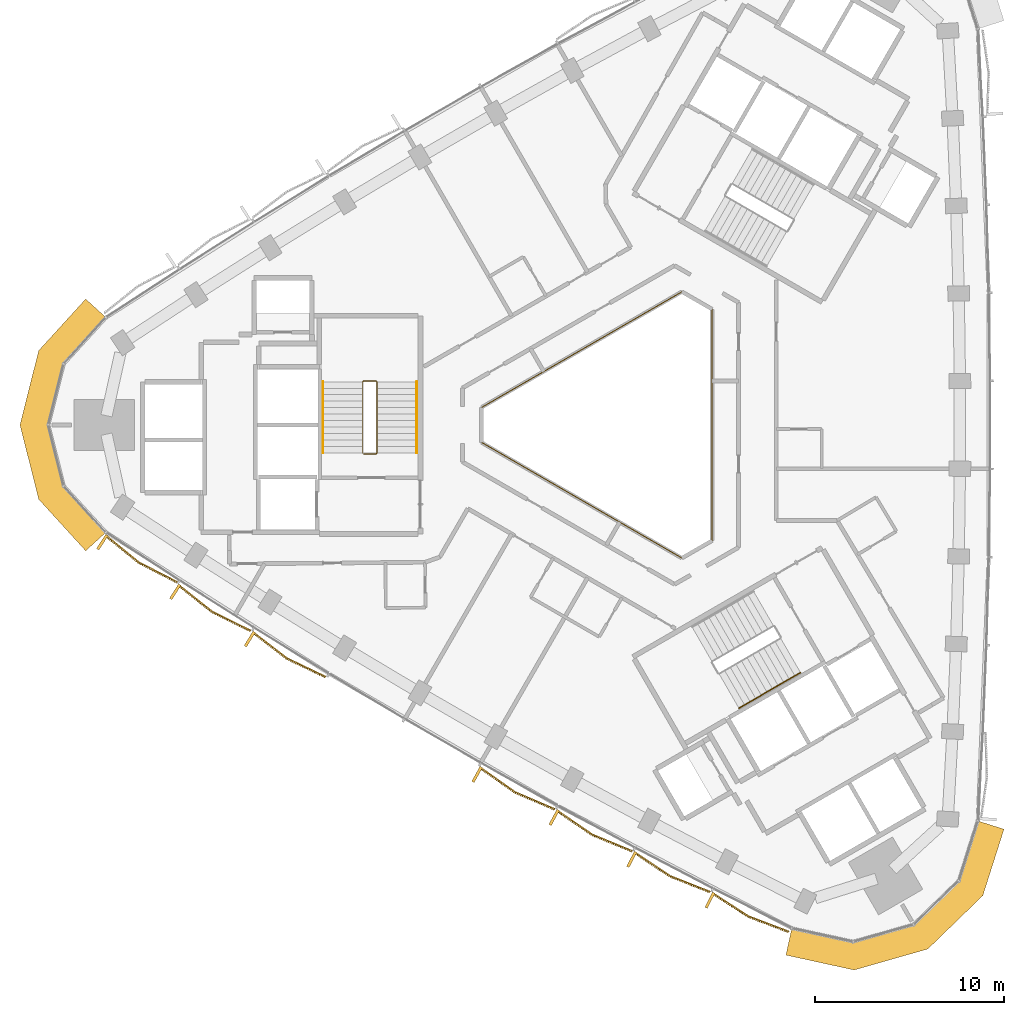
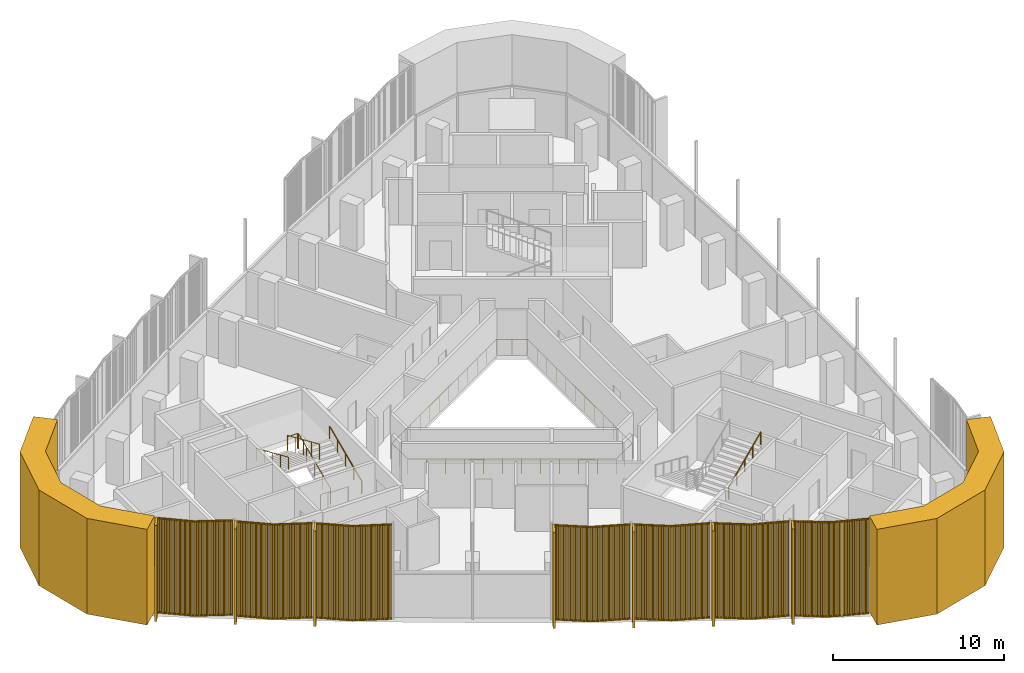
# One storey, part 12 of 14: 9 coverings, 5 railings.
"""IFC4 building model written with IfcOpenShell, lengths in metres."""

from ifc_helpers import new_model, si_unit, direction, frame, frame_2d, origin, origin_2d, place, context, subcontext, project, spatial, polyline, rectangle, circle, outline, extrude, source, transform, mapped, material, layer, layer_set, type_object, element, save


model = new_model("IFC4")

# Units and contexts
model_context = context("Model", 3, precision=1e-05, world=origin(), true_north=direction((0.0, 1.0)))
body_context = subcontext(model_context, "Body", "Model", "MODEL_VIEW")
ifc_project = project(units=[si_unit("LENGTHUNIT", "METRE"), si_unit("AREAUNIT", "SQUARE_METRE"), si_unit("VOLUMEUNIT", "CUBIC_METRE"), si_unit("PLANEANGLEUNIT", "RADIAN"), si_unit("MASSUNIT", "GRAM", prefix="KILO")], contexts=[model_context])

# Site, building, storey
site_placement = place(None, origin())
site = spatial("IfcSite", under=ifc_project, at=site_placement, CompositionType="ELEMENT")
building_placement = place(site_placement, origin())
building = spatial("IfcBuilding", under=site, at=building_placement, Name="Tamra Quay Hotel Tower", CompositionType="ELEMENT")
storey_placement = place(building_placement, frame((0.0, 0.0, 175.60009765625)))
storey = spatial("IfcBuildingStorey", under=building, at=storey_placement, Name="L43", CompositionType="ELEMENT", Elevation=175.60009765625)

# Coverings
ifc_material_1 = material(Name="Precast concrete M60 terracotta-coloured", Category="masonry")
ifc_layer = layer(ifc_material_1, 1.449951171875)
ifc_layer_set = layer_set([ifc_layer], Name="CORNER PIER PANEL")
covering_type_1 = type_object("IfcCoveringType", Name="CORNER PIER PANEL", PredefinedType="CLADDING", material=ifc_layer_set)
covering_1_placement = place(storey_placement, origin())
element("IfcCovering", 1, at=covering_1_placement, inside=storey, type_object=covering_type_1, Name="Corner pier L43.north-west", PredefinedType="CLADDING", context=body_context, shape_type="SweptSolid", body=[
    extrude(outline(polyline([(-27.48046875, 5.68701171875), (-28.55224609375, 6.663818359375), (-31.038818359375, 3.934326171875), (-32.028076171875, 0.0), (-31.038818359375, -3.934326171875), (-28.55224609375, -6.663818359375), (-27.48046875, -5.68701171875), (-29.7216796875, -3.227294921875), (-30.532958984375, 0.0), (-29.7216796875, 3.227294921875), (-27.48046875, 5.68701171875)])), origin(), (0.0, 0.0, 1.0), 6.849853515625),
])
covering_2_placement = place(storey_placement, origin())
element("IfcCovering", 2, at=covering_2_placement, inside=storey, type_object=covering_type_1, Name="Corner pier L43.south-west", PredefinedType="CLADDING", context=body_context, shape_type="SweptSolid", body=[
    extrude(outline(polyline([(8.81494140625, -26.642333984375), (8.505126953125, -28.058837890625), (12.1123046875, -28.84765625), (16.013916015625, -27.737060546875), (18.9267578125, -24.913330078125), (20.047119140625, -21.39501953125), (18.665283203125, -20.955078125), (17.65576171875, -24.1259765625), (15.2666015625, -26.4423828125), (12.06591796875, -27.353271484375), (8.81494140625, -26.642333984375)])), origin(), (0.0, 0.0, 1.0), 6.849853515625),
])

# Railings
ifc_material_2 = material(Name="Guard atrium edge 1100")
railing_type_1 = type_object("IfcRailingType", Name="Guard atrium edge 1100", PredefinedType="GUARDRAIL", material=ifc_material_2)
railing_1_placement = place(storey_placement, frame((4.60009765625, -6.1201171875, 0.0)))
element("IfcRailing", 3, at=railing_1_placement, inside=storey, type_object=railing_type_1, Name="G-A", PredefinedType="GUARDRAIL", context=body_context, shape_type="SweptSolid", body=[
    extrude(circle(Radius=0.02392578125, at=origin_2d()), frame((0.0, 0.0, 1.076171875), z_axis=(-0.86602275259, -0.500004591975, 0.0), x_axis=(0.500004591975, -0.86602275259, 0.0)), (0.0, 0.0, 1.0), 1.84765625),
    extrude(circle(Radius=0.02392578125, at=origin_2d()), frame((-1.60009765625, -0.923828125, 1.076171875), z_axis=(-0.866028806638, 0.499994106039, 0.0), x_axis=(-0.499994106039, -0.866028806638, 0.0)), (0.0, 0.0, 1.0), 12.239990234375),
    extrude(circle(Radius=0.02392578125, at=origin_2d()), frame((-12.2001953125, 5.196044921875, 1.076171875), z_axis=(0.0, 1.0, 0.0), x_axis=(-1.0, 0.0, 0.0)), (0.0, 0.0, 1.0), 1.84814453125),
    extrude(circle(Radius=0.02392578125, at=origin_2d()), frame((-12.2001953125, 7.044189453125, 1.076171875), z_axis=(0.866028806638, 0.499994106039, 0.0), x_axis=(-0.499994106039, 0.866028806638, 0.0)), (0.0, 0.0, 1.0), 12.239990234375),
    extrude(circle(Radius=0.02392578125, at=origin_2d()), frame((-1.60009765625, 13.1640625, 1.076171875), z_axis=(0.86602275259, -0.500004591975, 0.0), x_axis=(0.500004591975, 0.86602275259, 0.0)), (0.0, 0.0, 1.0), 1.84765625),
    extrude(circle(Radius=0.02392578125, at=origin_2d()), frame((0.0, 12.240234375, 1.076171875), z_axis=(0.0, -1.0, 0.0), x_axis=(1.0, 0.0, 0.0)), (0.0, 0.0, 1.0), 12.240234375),
    extrude(circle(Radius=0.02099609375, at=origin_2d()), origin(), (0.0, 0.0, 1.0), 1.052001953125),
    extrude(circle(Radius=0.02099609375, at=origin_2d()), frame((-0.800048828125, -0.4619140625, 0.0)), (0.0, 0.0, 1.0), 1.052001953125),
    extrude(circle(Radius=0.02099609375, at=origin_2d()), frame((-1.60009765625, -0.923828125, 0.0)), (0.0, 0.0, 1.0), 1.052001953125),
    extrude(circle(Radius=0.02099609375, at=origin_2d()), frame((-2.563720703125, -0.367431640625, 0.0)), (0.0, 0.0, 1.0), 1.052001953125),
    extrude(circle(Radius=0.02099609375, at=origin_2d()), frame((-3.52734375, 0.18896484375, 0.0)), (0.0, 0.0, 1.0), 1.052001953125),
    extrude(circle(Radius=0.02099609375, at=origin_2d()), frame((-4.490966796875, 0.7451171875, 0.0)), (0.0, 0.0, 1.0), 1.052001953125),
    extrude(circle(Radius=0.02099609375, at=origin_2d()), frame((-5.45458984375, 1.301513671875, 0.0)), (0.0, 0.0, 1.0), 1.052001953125),
    extrude(circle(Radius=0.02099609375, at=origin_2d()), frame((-6.418212890625, 1.85791015625, 0.0)), (0.0, 0.0, 1.0), 1.052001953125),
    extrude(circle(Radius=0.02099609375, at=origin_2d()), frame((-7.382080078125, 2.414306640625, 0.0)), (0.0, 0.0, 1.0), 1.052001953125),
    extrude(circle(Radius=0.02099609375, at=origin_2d()), frame((-8.345703125, 2.970703125, 0.0)), (0.0, 0.0, 1.0), 1.052001953125),
    extrude(circle(Radius=0.02099609375, at=origin_2d()), frame((-9.309326171875, 3.527099609375, 0.0)), (0.0, 0.0, 1.0), 1.052001953125),
    extrude(circle(Radius=0.02099609375, at=origin_2d()), frame((-10.27294921875, 4.083251953125, 0.0)), (0.0, 0.0, 1.0), 1.052001953125),
    extrude(circle(Radius=0.02099609375, at=origin_2d()), frame((-11.236572265625, 4.6396484375, 0.0)), (0.0, 0.0, 1.0), 1.052001953125),
    extrude(circle(Radius=0.02099609375, at=origin_2d()), frame((-12.2001953125, 5.196044921875, 0.0)), (0.0, 0.0, 1.0), 1.052001953125),
    extrude(circle(Radius=0.02099609375, at=origin_2d()), frame((-12.2001953125, 6.1201171875, 0.0)), (0.0, 0.0, 1.0), 1.052001953125),
    extrude(circle(Radius=0.02099609375, at=origin_2d()), frame((-12.2001953125, 7.044189453125, 0.0)), (0.0, 0.0, 1.0), 1.052001953125),
    extrude(circle(Radius=0.02099609375, at=origin_2d()), frame((-11.236572265625, 7.6005859375, 0.0)), (0.0, 0.0, 1.0), 1.052001953125),
    extrude(circle(Radius=0.02099609375, at=origin_2d()), frame((-10.27294921875, 8.156982421875, 0.0)), (0.0, 0.0, 1.0), 1.052001953125),
    extrude(circle(Radius=0.02099609375, at=origin_2d()), frame((-9.309326171875, 8.713134765625, 0.0)), (0.0, 0.0, 1.0), 1.052001953125),
    extrude(circle(Radius=0.02099609375, at=origin_2d()), frame((-8.345703125, 9.26953125, 0.0)), (0.0, 0.0, 1.0), 1.052001953125),
    extrude(circle(Radius=0.02099609375, at=origin_2d()), frame((-7.382080078125, 9.825927734375, 0.0)), (0.0, 0.0, 1.0), 1.052001953125),
    extrude(circle(Radius=0.02099609375, at=origin_2d()), frame((-6.418212890625, 10.38232421875, 0.0)), (0.0, 0.0, 1.0), 1.052001953125),
    extrude(circle(Radius=0.02099609375, at=origin_2d()), frame((-5.45458984375, 10.938720703125, 0.0)), (0.0, 0.0, 1.0), 1.052001953125),
    extrude(circle(Radius=0.02099609375, at=origin_2d()), frame((-4.490966796875, 11.4951171875, 0.0)), (0.0, 0.0, 1.0), 1.052001953125),
    extrude(circle(Radius=0.02099609375, at=origin_2d()), frame((-3.52734375, 12.05126953125, 0.0)), (0.0, 0.0, 1.0), 1.052001953125),
    extrude(circle(Radius=0.02099609375, at=origin_2d()), frame((-2.563720703125, 12.607666015625, 0.0)), (0.0, 0.0, 1.0), 1.052001953125),
    extrude(circle(Radius=0.02099609375, at=origin_2d()), frame((-1.60009765625, 13.1640625, 0.0)), (0.0, 0.0, 1.0), 1.052001953125),
    extrude(circle(Radius=0.02099609375, at=origin_2d()), frame((-0.800048828125, 12.7021484375, 0.0)), (0.0, 0.0, 1.0), 1.052001953125),
    extrude(circle(Radius=0.02099609375, at=origin_2d()), frame((0.0, 12.240234375, 0.0)), (0.0, 0.0, 1.0), 1.052001953125),
    extrude(circle(Radius=0.02099609375, at=origin_2d()), frame((0.0, 11.12744140625, 0.0)), (0.0, 0.0, 1.0), 1.052001953125),
    extrude(circle(Radius=0.02099609375, at=origin_2d()), frame((0.0, 10.0146484375, 0.0)), (0.0, 0.0, 1.0), 1.052001953125),
    extrude(circle(Radius=0.02099609375, at=origin_2d()), frame((0.0, 8.902099609375, 0.0)), (0.0, 0.0, 1.0), 1.052001953125),
    extrude(circle(Radius=0.02099609375, at=origin_2d()), frame((0.0, 7.789306640625, 0.0)), (0.0, 0.0, 1.0), 1.052001953125),
    extrude(circle(Radius=0.02099609375, at=origin_2d()), frame((0.0, 6.676513671875, 0.0)), (0.0, 0.0, 1.0), 1.052001953125),
    extrude(circle(Radius=0.02099609375, at=origin_2d()), frame((0.0, 5.563720703125, 0.0)), (0.0, 0.0, 1.0), 1.052001953125),
    extrude(circle(Radius=0.02099609375, at=origin_2d()), frame((0.0, 4.450927734375, 0.0)), (0.0, 0.0, 1.0), 1.052001953125),
    extrude(circle(Radius=0.02099609375, at=origin_2d()), frame((0.0, 3.338134765625, 0.0)), (0.0, 0.0, 1.0), 1.052001953125),
    extrude(circle(Radius=0.02099609375, at=origin_2d()), frame((0.0, 2.2255859375, 0.0)), (0.0, 0.0, 1.0), 1.052001953125),
    extrude(circle(Radius=0.02099609375, at=origin_2d()), frame((0.0, 1.11279296875, 0.0)), (0.0, 0.0, 1.0), 1.052001953125),
])
ifc_material_3 = material(Name="Stair guard 1100")
railing_type_2 = type_object("IfcRailingType", Name="Stair guard 1100", PredefinedType="GUARDRAIL", material=ifc_material_3)
railing_2_placement = place(storey_placement, frame((-13.84130859375, -1.530029296875, 0.0)))
element("IfcRailing", 4, at=railing_2_placement, inside=storey, type_object=railing_type_2, Name="GR", PredefinedType="GUARDRAIL", context=body_context, shape_type="SweptSolid", body=[
    extrude(circle(Radius=0.02392578125, at=origin_2d()), frame((0.0, 0.0, 1.076171875), z_axis=(1.0, 0.0, 0.0), x_axis=(0.0, 1.0, 0.0)), (0.0, 0.0, 1.0), 0.658935546875),
    extrude(circle(Radius=0.02392578125, at=origin_2d()), frame((0.658935546875, 0.0, 1.076171875), z_axis=(0.301912943143, 0.301912943143, 0.904266083366), x_axis=(-0.707106781187, 0.707106781187, 0.0)), (0.0, 0.0, 1.0), 0.165771484375),
    extrude(circle(Radius=0.02392578125, at=origin_2d()), frame((0.708984375, 0.050048828125, 1.22607421875), z_axis=(0.0, 0.915795495799, 0.401644880304), x_axis=(-1.0, 0.0, 0.0)), (0.0, 0.0, 1.0), 4.10791015625),
    extrude(circle(Radius=0.02392578125, at=origin_2d()), frame((0.708984375, 3.81201171875, 2.8759765625), z_axis=(-0.708833529934, 0.705375805398, 0.0), x_axis=(-0.705375805398, -0.708833529934, 0.0)), (0.0, 0.0, 1.0), 0.070556640625),
    extrude(circle(Radius=0.02392578125, at=origin_2d()), frame((0.658935546875, 3.86181640625, 2.8759765625), z_axis=(-1.0, 0.0, 0.0), x_axis=(0.0, -1.0, 0.0)), (0.0, 0.0, 1.0), 0.658935546875),
    extrude(circle(Radius=0.02392578125, at=origin_2d()), frame((0.0, 3.86181640625, 2.8759765625), z_axis=(-0.301644814947, -0.300173376825, 0.904934444842), x_axis=(0.705375805398, -0.708833529934, 0.0)), (0.0, 0.0, 1.0), 0.166015625),
    extrude(circle(Radius=0.02392578125, at=origin_2d()), frame((-0.050048828125, 3.81201171875, 3.02587890625), z_axis=(0.0, -0.915795495799, 0.401644880304), x_axis=(1.0, 0.0, 0.0)), (0.0, 0.0, 1.0), 4.10791015625),
    extrude(circle(Radius=0.02099609375, at=origin_2d()), origin(), (0.0, 0.0, 1.0), 1.052001953125),
    extrude(circle(Radius=0.02099609375, at=origin_2d()), frame((0.658935546875, 0.0, 0.0)), (0.0, 0.0, 1.0), 1.052001953125),
    extrude(circle(Radius=0.02099609375, at=origin_2d()), frame((0.708984375, 0.050048828125, 0.14990234375)), (0.0, 0.0, 1.0), 1.052001953125),
    extrude(circle(Radius=0.02099609375, at=origin_2d()), frame((0.708984375, 0.990478515625, 0.5625)), (0.0, 0.0, 1.0), 1.052001953125),
    extrude(circle(Radius=0.02099609375, at=origin_2d()), frame((0.708984375, 1.93115234375, 0.974853515625)), (0.0, 0.0, 1.0), 1.052001953125),
    extrude(circle(Radius=0.02099609375, at=origin_2d()), frame((0.708984375, 2.87158203125, 1.38720703125)), (0.0, 0.0, 1.0), 1.052001953125),
    extrude(circle(Radius=0.02099609375, at=origin_2d()), frame((0.708984375, 3.81201171875, 1.7998046875)), (0.0, 0.0, 1.0), 1.052001953125),
    extrude(circle(Radius=0.02099609375, at=origin_2d()), frame((0.658935546875, 3.86181640625, 1.7998046875)), (0.0, 0.0, 1.0), 1.052001953125),
    extrude(circle(Radius=0.02099609375, at=origin_2d()), frame((0.0, 3.86181640625, 1.7998046875)), (0.0, 0.0, 1.0), 1.052001953125),
    extrude(circle(Radius=0.02099609375, at=origin_2d()), frame((-0.050048828125, 3.81201171875, 1.949951171875)), (0.0, 0.0, 1.0), 1.052001953125),
    extrude(circle(Radius=0.02099609375, at=origin_2d()), frame((-0.050048828125, 2.87158203125, 2.3623046875)), (0.0, 0.0, 1.0), 1.052001953125),
    extrude(circle(Radius=0.02099609375, at=origin_2d()), frame((-0.050048828125, 1.93115234375, 2.77490234375)), (0.0, 0.0, 1.0), 1.052001953125),
    extrude(circle(Radius=0.02099609375, at=origin_2d()), frame((-0.050048828125, 0.990478515625, 3.1875)), (0.0, 0.0, 1.0), 1.052001953125),
    extrude(circle(Radius=0.02099609375, at=origin_2d()), frame((-0.050048828125, 0.050048828125, 3.599853515625)), (0.0, 0.0, 1.0), 1.052001953125),
])
ifc_material_4 = material(Name="Stair handrail 900")
railing_type_3 = type_object("IfcRailingType", Name="Stair handrail 900", PredefinedType="HANDRAIL", material=ifc_material_4)
railing_3_placement = place(storey_placement, frame((-11.0322265625, -1.47998046875, 0.14990234375)))
element("IfcRailing", 5, at=railing_3_placement, inside=storey, type_object=railing_type_3, Name="HR", PredefinedType="HANDRAIL", context=body_context, shape_type="SweptSolid", body=[
    extrude(circle(Radius=0.02392578125, at=origin_2d()), frame((0.0, 0.0, 0.8759765625), z_axis=(0.0, 0.915795495799, 0.401644880304), x_axis=(-1.0, 0.0, 0.0)), (0.0, 0.0, 1.0), 4.10791015625),
    extrude(circle(Radius=0.02099609375, at=origin_2d()), origin(), (0.0, 0.0, 1.0), 0.851806640625),
    extrude(circle(Radius=0.02099609375, at=origin_2d()), frame((0.0, 0.9404296875, 0.41259765625)), (0.0, 0.0, 1.0), 0.851806640625),
    extrude(circle(Radius=0.02099609375, at=origin_2d()), frame((0.0, 1.880859375, 0.824951171875)), (0.0, 0.0, 1.0), 0.851806640625),
    extrude(circle(Radius=0.02099609375, at=origin_2d()), frame((0.0, 2.821533203125, 1.2373046875)), (0.0, 0.0, 1.0), 0.851806640625),
    extrude(circle(Radius=0.02099609375, at=origin_2d()), frame((0.0, 3.761962890625, 1.64990234375)), (0.0, 0.0, 1.0), 0.851806640625),
])
railing_4_placement = place(storey_placement, frame((-15.9912109375, 2.281982421875, 1.949951171875)))
element("IfcRailing", 6, at=railing_4_placement, inside=storey, type_object=railing_type_3, Name="HR", PredefinedType="HANDRAIL", context=body_context, shape_type="SweptSolid", body=[
    extrude(circle(Radius=0.02392578125, at=origin_2d()), frame((0.0, 0.0, 0.8759765625), z_axis=(0.0, -0.915795495799, 0.401644880304), x_axis=(1.0, 0.0, 0.0)), (0.0, 0.0, 1.0), 4.10791015625),
    extrude(circle(Radius=0.02099609375, at=origin_2d()), origin(), (0.0, 0.0, 1.0), 0.851806640625),
    extrude(circle(Radius=0.02099609375, at=origin_2d()), frame((0.0, -0.9404296875, 0.41259765625)), (0.0, 0.0, 1.0), 0.851806640625),
    extrude(circle(Radius=0.02099609375, at=origin_2d()), frame((0.0, -1.880859375, 0.824951171875)), (0.0, 0.0, 1.0), 0.851806640625),
    extrude(circle(Radius=0.02099609375, at=origin_2d()), frame((0.0, -2.821533203125, 1.2373046875)), (0.0, 0.0, 1.0), 0.851806640625),
    extrude(circle(Radius=0.02099609375, at=origin_2d()), frame((0.0, -3.761962890625, 1.64990234375)), (0.0, 0.0, 1.0), 0.851806640625),
])
railing_5_placement = place(storey_placement, frame((6.01953125, -14.98974609375, 1.949951171875)))
element("IfcRailing", 7, at=railing_5_placement, inside=storey, type_object=railing_type_3, Name="HR", PredefinedType="HANDRAIL", context=body_context, shape_type="SweptSolid", body=[
    extrude(circle(Radius=0.02392578125, at=origin_2d()), frame((0.0, 0.0, 0.8759765625), z_axis=(0.79310004713, 0.457886897714, 0.401661429744), x_axis=(-0.499992114976, 0.866029956157, 0.0)), (0.0, 0.0, 1.0), 4.107666015625),
    extrude(circle(Radius=0.02099609375, at=origin_2d()), origin(), (0.0, 0.0, 1.0), 0.851806640625),
    extrude(circle(Radius=0.02099609375, at=origin_2d()), frame((0.814453125, 0.47021484375, 0.41259765625)), (0.0, 0.0, 1.0), 0.851806640625),
    extrude(circle(Radius=0.02099609375, at=origin_2d()), frame((1.62890625, 0.9404296875, 0.824951171875)), (0.0, 0.0, 1.0), 0.851806640625),
    extrude(circle(Radius=0.02099609375, at=origin_2d()), frame((2.443359375, 1.41064453125, 1.2373046875)), (0.0, 0.0, 1.0), 0.851806640625),
    extrude(circle(Radius=0.02099609375, at=origin_2d()), frame((3.2578125, 1.880859375, 1.64990234375)), (0.0, 0.0, 1.0), 0.851806640625),
])

# Coverings
ifc_material_5 = material(Name="Terracotta baguette extruded", Category="masonry")
covering_type_2 = type_object("IfcCoveringType", Name="BAGUETTE SCREEN SW-V H6850", PredefinedType="USERDEFINED", material=ifc_material_5)
shared_shape = source(origin(), body_context, "Body", "SweptSolid", [
    extrude(rectangle(XDim=2.295166015625, YDim=0.06005859375, at=frame_2d((1.1474609375, 0.030029296875))), frame((-2.288818359375, -0.0576171875, -0.1201171875), z_axis=(0.0, 0.0, 1.0), x_axis=(0.994521895368, -0.104528463268, 0.0)), (0.0, 0.0, 1.0), 0.1201171875),
    extrude(rectangle(XDim=2.295166015625, YDim=0.06005859375, at=frame_2d((1.1474609375, 0.030029296875))), frame((-2.288818359375, -0.0576171875, -6.85009765625), z_axis=(0.0, 0.0, 1.0), x_axis=(0.994521895368, -0.104528463268, 0.0)), (0.0, 0.0, 1.0), 0.1201171875),
    extrude(rectangle(XDim=0.070068359375, YDim=0.10009765625, at=frame_2d((0.03515625, 0.050048828125))), frame((-2.267822265625, -0.13330078125, -6.7900390625)), (0.0, 0.0, 1.0), 6.72998046875),
    extrude(rectangle(XDim=0.070068359375, YDim=0.10009765625, at=frame_2d((0.03515625, 0.050048828125))), frame((-2.168701171875, -0.1435546875, -6.7900390625)), (0.0, 0.0, 1.0), 6.72998046875),
    extrude(rectangle(XDim=0.070068359375, YDim=0.10009765625, at=frame_2d((0.03515625, 0.050048828125))), frame((-2.0693359375, -0.154052734375, -6.7900390625)), (0.0, 0.0, 1.0), 6.72998046875),
    extrude(rectangle(XDim=0.070068359375, YDim=0.10009765625, at=frame_2d((0.03515625, 0.050048828125))), frame((-1.97021484375, -0.16455078125, -6.7900390625)), (0.0, 0.0, 1.0), 6.72998046875),
    extrude(rectangle(XDim=0.070068359375, YDim=0.10009765625, at=frame_2d((0.03515625, 0.050048828125))), frame((-1.870849609375, -0.175048828125, -6.7900390625)), (0.0, 0.0, 1.0), 6.72998046875),
    extrude(rectangle(XDim=0.070068359375, YDim=0.10009765625, at=frame_2d((0.03515625, 0.050048828125))), frame((-1.771728515625, -0.185302734375, -6.7900390625)), (0.0, 0.0, 1.0), 6.72998046875),
    extrude(rectangle(XDim=0.070068359375, YDim=0.10009765625, at=frame_2d((0.03515625, 0.050048828125))), frame((-1.67236328125, -0.19580078125, -6.7900390625)), (0.0, 0.0, 1.0), 6.72998046875),
    extrude(rectangle(XDim=0.070068359375, YDim=0.10009765625, at=frame_2d((0.03515625, 0.050048828125))), frame((-1.5732421875, -0.206298828125, -6.7900390625)), (0.0, 0.0, 1.0), 6.72998046875),
    extrude(rectangle(XDim=0.070068359375, YDim=0.10009765625, at=frame_2d((0.03515625, 0.050048828125))), frame((-1.473876953125, -0.216552734375, -6.7900390625)), (0.0, 0.0, 1.0), 6.72998046875),
    extrude(rectangle(XDim=0.070068359375, YDim=0.10009765625, at=frame_2d((0.03515625, 0.050048828125))), frame((-1.374755859375, -0.22705078125, -6.7900390625)), (0.0, 0.0, 1.0), 6.72998046875),
    extrude(rectangle(XDim=0.070068359375, YDim=0.10009765625, at=frame_2d((0.03515625, 0.050048828125))), frame((-1.275390625, -0.237548828125, -6.7900390625)), (0.0, 0.0, 1.0), 6.72998046875),
    extrude(rectangle(XDim=0.070068359375, YDim=0.10009765625, at=frame_2d((0.03515625, 0.050048828125))), frame((-1.17626953125, -0.248046875, -6.7900390625)), (0.0, 0.0, 1.0), 6.72998046875),
    extrude(rectangle(XDim=0.070068359375, YDim=0.10009765625, at=frame_2d((0.03515625, 0.050048828125))), frame((-1.076904296875, -0.25830078125, -6.7900390625)), (0.0, 0.0, 1.0), 6.72998046875),
    extrude(rectangle(XDim=0.070068359375, YDim=0.10009765625, at=frame_2d((0.03515625, 0.050048828125))), frame((-0.977783203125, -0.268798828125, -6.7900390625)), (0.0, 0.0, 1.0), 6.72998046875),
    extrude(rectangle(XDim=0.070068359375, YDim=0.10009765625, at=frame_2d((0.03515625, 0.050048828125))), frame((-0.87841796875, -0.279296875, -6.7900390625)), (0.0, 0.0, 1.0), 6.72998046875),
    extrude(rectangle(XDim=0.070068359375, YDim=0.10009765625, at=frame_2d((0.03515625, 0.050048828125))), frame((-0.779296875, -0.28955078125, -6.7900390625)), (0.0, 0.0, 1.0), 6.72998046875),
    extrude(rectangle(XDim=0.070068359375, YDim=0.10009765625, at=frame_2d((0.03515625, 0.050048828125))), frame((-0.679931640625, -0.300048828125, -6.7900390625)), (0.0, 0.0, 1.0), 6.72998046875),
    extrude(rectangle(XDim=0.070068359375, YDim=0.10009765625, at=frame_2d((0.03515625, 0.050048828125))), frame((-0.580810546875, -0.310546875, -6.7900390625)), (0.0, 0.0, 1.0), 6.72998046875),
    extrude(rectangle(XDim=0.070068359375, YDim=0.10009765625, at=frame_2d((0.03515625, 0.050048828125))), frame((-0.481689453125, -0.321044921875, -6.7900390625)), (0.0, 0.0, 1.0), 6.72998046875),
    extrude(rectangle(XDim=0.070068359375, YDim=0.10009765625, at=frame_2d((0.03515625, 0.050048828125))), frame((-0.38232421875, -0.331298828125, -6.7900390625)), (0.0, 0.0, 1.0), 6.72998046875),
    extrude(rectangle(XDim=0.070068359375, YDim=0.10009765625, at=frame_2d((0.03515625, 0.050048828125))), frame((-0.283203125, -0.341796875, -6.7900390625)), (0.0, 0.0, 1.0), 6.72998046875),
    extrude(rectangle(XDim=0.070068359375, YDim=0.10009765625, at=frame_2d((0.03515625, 0.050048828125))), frame((-0.183837890625, -0.352294921875, -6.7900390625)), (0.0, 0.0, 1.0), 6.72998046875),
    extrude(rectangle(XDim=0.070068359375, YDim=0.10009765625, at=frame_2d((0.03515625, 0.050048828125))), frame((-0.084716796875, -0.36279296875, -6.7900390625)), (0.0, 0.0, 1.0), 6.72998046875),
    extrude(rectangle(XDim=2.295166015625, YDim=0.06005859375, at=frame_2d((1.1474609375, 0.030029296875))), frame((0.00634765625, -0.297607421875, -0.1201171875), z_axis=(0.0, 0.0, 1.0), x_axis=(0.994521895368, 0.104528463268, 0.0)), (0.0, 0.0, 1.0), 0.1201171875),
    extrude(rectangle(XDim=2.295166015625, YDim=0.06005859375, at=frame_2d((1.1474609375, 0.030029296875))), frame((0.00634765625, -0.297607421875, -6.85009765625), z_axis=(0.0, 0.0, 1.0), x_axis=(0.994521895368, 0.104528463268, 0.0)), (0.0, 0.0, 1.0), 0.1201171875),
    extrude(rectangle(XDim=0.070068359375, YDim=0.10009765625, at=frame_2d((0.03515625, 0.050048828125))), frame((0.0146484375, -0.36279296875, -6.7900390625)), (0.0, 0.0, 1.0), 6.72998046875),
    extrude(rectangle(XDim=0.070068359375, YDim=0.10009765625, at=frame_2d((0.03515625, 0.050048828125))), frame((0.11376953125, -0.352294921875, -6.7900390625)), (0.0, 0.0, 1.0), 6.72998046875),
    extrude(rectangle(XDim=0.070068359375, YDim=0.10009765625, at=frame_2d((0.03515625, 0.050048828125))), frame((0.213134765625, -0.341796875, -6.7900390625)), (0.0, 0.0, 1.0), 6.72998046875),
    extrude(rectangle(XDim=0.070068359375, YDim=0.10009765625, at=frame_2d((0.03515625, 0.050048828125))), frame((0.312255859375, -0.331298828125, -6.7900390625)), (0.0, 0.0, 1.0), 6.72998046875),
    extrude(rectangle(XDim=0.070068359375, YDim=0.10009765625, at=frame_2d((0.03515625, 0.050048828125))), frame((0.41162109375, -0.321044921875, -6.7900390625)), (0.0, 0.0, 1.0), 6.72998046875),
    extrude(rectangle(XDim=0.070068359375, YDim=0.10009765625, at=frame_2d((0.03515625, 0.050048828125))), frame((0.5107421875, -0.310546875, -6.7900390625)), (0.0, 0.0, 1.0), 6.72998046875),
    extrude(rectangle(XDim=0.070068359375, YDim=0.10009765625, at=frame_2d((0.03515625, 0.050048828125))), frame((0.610107421875, -0.300048828125, -6.7900390625)), (0.0, 0.0, 1.0), 6.72998046875),
    extrude(rectangle(XDim=0.070068359375, YDim=0.10009765625, at=frame_2d((0.03515625, 0.050048828125))), frame((0.709228515625, -0.28955078125, -6.7900390625)), (0.0, 0.0, 1.0), 6.72998046875),
    extrude(rectangle(XDim=0.070068359375, YDim=0.10009765625, at=frame_2d((0.03515625, 0.050048828125))), frame((0.80859375, -0.279296875, -6.7900390625)), (0.0, 0.0, 1.0), 6.72998046875),
    extrude(rectangle(XDim=0.070068359375, YDim=0.10009765625, at=frame_2d((0.03515625, 0.050048828125))), frame((0.90771484375, -0.268798828125, -6.7900390625)), (0.0, 0.0, 1.0), 6.72998046875),
    extrude(rectangle(XDim=0.070068359375, YDim=0.10009765625, at=frame_2d((0.03515625, 0.050048828125))), frame((1.007080078125, -0.25830078125, -6.7900390625)), (0.0, 0.0, 1.0), 6.72998046875),
    extrude(rectangle(XDim=0.070068359375, YDim=0.10009765625, at=frame_2d((0.03515625, 0.050048828125))), frame((1.106201171875, -0.248046875, -6.7900390625)), (0.0, 0.0, 1.0), 6.72998046875),
    extrude(rectangle(XDim=0.070068359375, YDim=0.10009765625, at=frame_2d((0.03515625, 0.050048828125))), frame((1.20556640625, -0.237548828125, -6.7900390625)), (0.0, 0.0, 1.0), 6.72998046875),
    extrude(rectangle(XDim=0.070068359375, YDim=0.10009765625, at=frame_2d((0.03515625, 0.050048828125))), frame((1.3046875, -0.22705078125, -6.7900390625)), (0.0, 0.0, 1.0), 6.72998046875),
    extrude(rectangle(XDim=0.070068359375, YDim=0.10009765625, at=frame_2d((0.03515625, 0.050048828125))), frame((1.404052734375, -0.216552734375, -6.7900390625)), (0.0, 0.0, 1.0), 6.72998046875),
    extrude(rectangle(XDim=0.070068359375, YDim=0.10009765625, at=frame_2d((0.03515625, 0.050048828125))), frame((1.503173828125, -0.206298828125, -6.7900390625)), (0.0, 0.0, 1.0), 6.72998046875),
    extrude(rectangle(XDim=0.070068359375, YDim=0.10009765625, at=frame_2d((0.03515625, 0.050048828125))), frame((1.6025390625, -0.19580078125, -6.7900390625)), (0.0, 0.0, 1.0), 6.72998046875),
    extrude(rectangle(XDim=0.070068359375, YDim=0.10009765625, at=frame_2d((0.03515625, 0.050048828125))), frame((1.70166015625, -0.185302734375, -6.7900390625)), (0.0, 0.0, 1.0), 6.72998046875),
    extrude(rectangle(XDim=0.070068359375, YDim=0.10009765625, at=frame_2d((0.03515625, 0.050048828125))), frame((1.801025390625, -0.175048828125, -6.7900390625)), (0.0, 0.0, 1.0), 6.72998046875),
    extrude(rectangle(XDim=0.070068359375, YDim=0.10009765625, at=frame_2d((0.03515625, 0.050048828125))), frame((1.900146484375, -0.16455078125, -6.7900390625)), (0.0, 0.0, 1.0), 6.72998046875),
    extrude(rectangle(XDim=0.070068359375, YDim=0.10009765625, at=frame_2d((0.03515625, 0.050048828125))), frame((1.99951171875, -0.154052734375, -6.7900390625)), (0.0, 0.0, 1.0), 6.72998046875),
    extrude(rectangle(XDim=0.070068359375, YDim=0.10009765625, at=frame_2d((0.03515625, 0.050048828125))), frame((2.0986328125, -0.1435546875, -6.7900390625)), (0.0, 0.0, 1.0), 6.72998046875),
    extrude(rectangle(XDim=0.070068359375, YDim=0.10009765625, at=frame_2d((0.03515625, 0.050048828125))), frame((2.197998046875, -0.13330078125, -6.7900390625)), (0.0, 0.0, 1.0), 6.72998046875),
    extrude(rectangle(XDim=0.14990234375, YDim=0.902099609375, at=frame_2d((0.074951171875, 0.451171875))), frame((-2.282470703125, -0.89990234375, -6.85009765625)), (0.0, 0.0, 1.0), 6.85009765625),
])
for number, where, z_axis, x_axis, name in (
    (8, (-25.57861328125, -7.03564453125, 6.849853515625), (0.0, 0.0, 1.0), (0.836986092194, -0.54722416017, 0.0), "Baguette screen L43.SW.f00"),
    (9, (-21.708251953125, -9.63525390625, 6.849853515625), (0.0, 0.0, 1.0), (0.844475815543, -0.535593686448, 0.0), "Baguette screen L43.SW.f01"),
    (10, (-17.754150390625, -12.104736328125, 6.849853515625), (0.0, 0.0, 1.0), (0.851814958055, -0.523842798207, 0.0), "Baguette screen L43.SW.f02"),
    (11, (-5.69091796875, -19.181396484375, 6.849853515625), (0.0, 0.0, 1.0), (0.872884903026, -0.487926168665, 0.0), "Baguette screen L43.SW.f05"),
    (12, (-1.60595703125, -21.427734375, 6.849853515625), (0.0, 0.0, 1.0), (0.879568649865, -0.475771993896, 0.0), "Baguette screen L43.SW.f06"),
    (13, (2.509765625, -23.617431640625, 6.849853515625), (0.0, 0.0, 1.0), (0.886075646342, -0.463540665918, 0.0), "Baguette screen L43.SW.f07"),
    (14, (6.655517578125, -25.749755859375, 6.849853515625), (0.0, 0.0, 1.0), (0.892403070369, -0.451239138369, 0.0), "Baguette screen L43.SW.f08"),
):
    element("IfcCovering", number, at=place(storey_placement, frame(where, z_axis=z_axis, x_axis=x_axis)), inside=storey, type_object=covering_type_2, Name=name, ObjectType="BAGUETTE SCREEN", PredefinedType="USERDEFINED", context=body_context, shape_type="MappedRepresentation", body=[
        mapped(shared_shape, transform((0.0, 0.0, 0.0), scale=1.0)),
    ])

save(model, "model.ifc")
